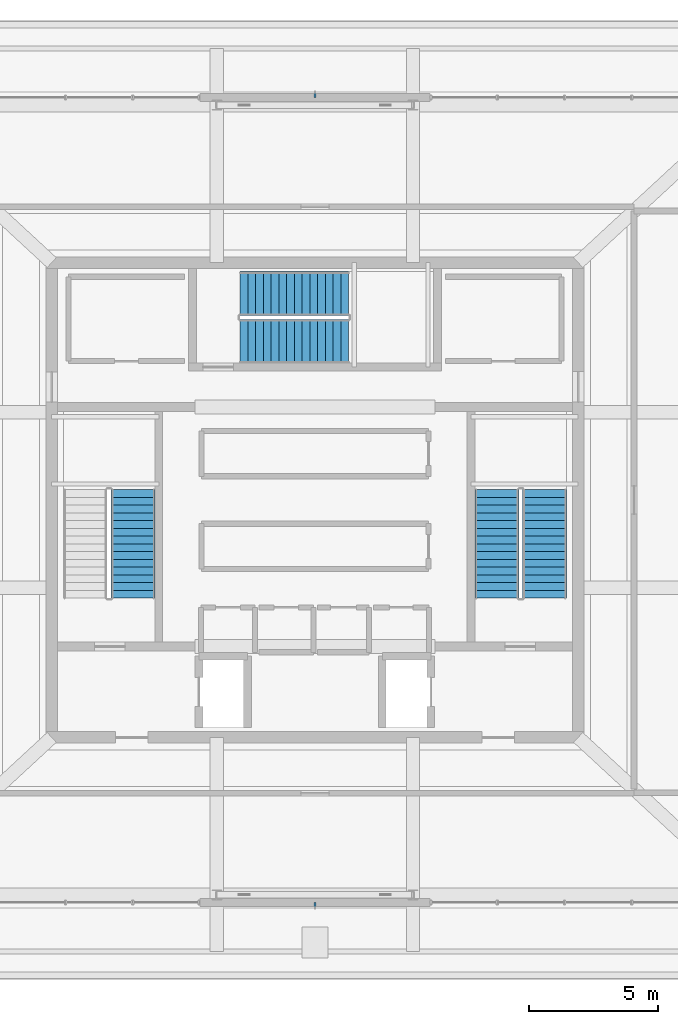
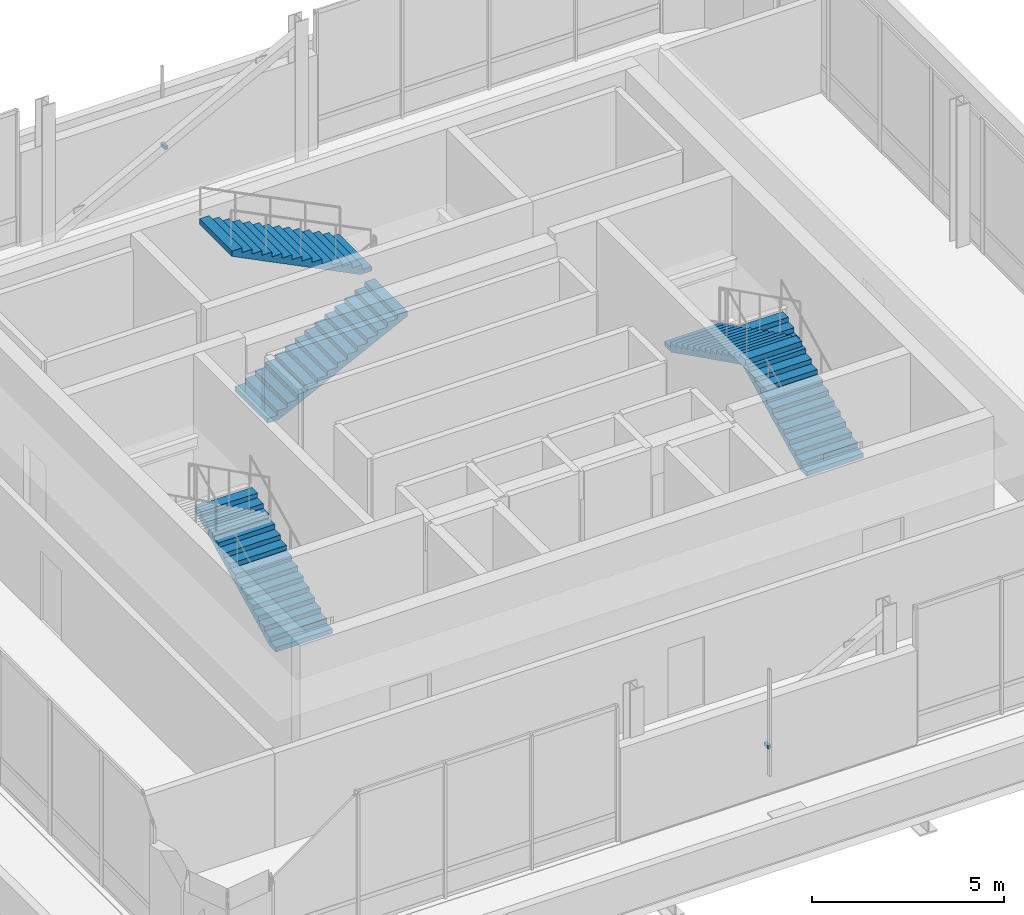
# One storey, part 25 of 28: 5 stair flights, 2 discrete accessories, 3 elements without a shape of their own.
"""IFC4 building model written with IfcOpenShell, lengths in metres."""

from ifc_helpers import new_model, si_unit, direction, frame, origin, origin_2d, place, context, subcontext, project, spatial, polyline, rectangle, outline, extrude, material, type_object, element, aggregate, save


model = new_model("IFC4")

# Units and contexts
model_context = context("Model", 3, precision=1e-05, world=origin(), true_north=direction((0.0, 1.0)))
body_context = subcontext(model_context, "Body", "Model", "MODEL_VIEW")
ifc_project = project(units=[si_unit("LENGTHUNIT", "METRE"), si_unit("AREAUNIT", "SQUARE_METRE"), si_unit("VOLUMEUNIT", "CUBIC_METRE"), si_unit("PLANEANGLEUNIT", "RADIAN"), si_unit("MASSUNIT", "GRAM", prefix="KILO")], contexts=[model_context])

# Site, building, storey
site_placement = place(None, origin())
site = spatial("IfcSite", under=ifc_project, at=site_placement, CompositionType="ELEMENT")
building_placement = place(site_placement, origin())
building = spatial("IfcBuilding", under=site, at=building_placement, Name="Punatoya Terracotta Tower", CompositionType="ELEMENT")
storey_placement = place(building_placement, frame((0.0, 0.0, 352.800048828125)))
storey = spatial("IfcBuildingStorey", under=building, at=storey_placement, Name="L83", CompositionType="ELEMENT", Elevation=352.800048828125)

# Stair, stair flight
ifc_material_1 = material(Name="Concrete C40/50", Category="concrete")
stair_type_1 = type_object("IfcStairType", Name="STR-CORE-1550", PredefinedType="HALF_TURN_STAIR", material=ifc_material_1)
stair_1_placement = place(storey_placement, origin())
stair_1 = element("IfcStair", 1, at=stair_1_placement, inside=storey, type_object=stair_type_1, Name="L83 Protected Core Exit Stair ST-1", PredefinedType="HALF_TURN_STAIR")
stair_flight_type_1 = type_object("IfcStairFlightType", Name="SFL-CORE-1550", PredefinedType="STRAIGHT", material=ifc_material_1)
stair_flight_1_placement = place(storey_placement, frame((-7.050048828125, -3.800048828125, 0.0), z_axis=(0.0, 0.0, 1.0), x_axis=(0.0, 1.0, 0.0)))
stair_flight_1 = element("IfcStairFlight", 2, at=stair_flight_1_placement, type_object=stair_flight_type_1, Name="ST-1 flight 1", NumberOfRisers=15, NumberOfTreads=14, PredefinedType="STRAIGHT", RiserHeight=0.15, TreadLength=0.3, context=body_context, shape_type="SweptSolid", body=[
    extrude(outline(polyline([(0.0, 0.0), (0.0, 0.14990234375), (0.300048828125, 0.14990234375), (0.300048828125, 0.300048828125), (0.60009765625, 0.300048828125), (0.60009765625, 0.449951171875), (0.89990234375, 0.449951171875), (0.89990234375, 0.60009765625), (1.199951171875, 0.60009765625), (1.199951171875, 0.75), (1.5, 0.75), (1.5, 0.89990234375), (1.800048828125, 0.89990234375), (1.800048828125, 1.050048828125), (2.10009765625, 1.050048828125), (2.10009765625, 1.199951171875), (2.39990234375, 1.199951171875), (2.39990234375, 1.35009765625), (2.699951171875, 1.35009765625), (2.699951171875, 1.5), (3.0, 1.5), (3.0, 1.64990234375), (3.300048828125, 1.64990234375), (3.300048828125, 1.800048828125), (3.60009765625, 1.800048828125), (3.60009765625, 1.949951171875), (3.89990234375, 1.949951171875), (3.89990234375, 2.10009765625), (4.199951171875, 2.10009765625), (4.199951171875, 2.25), (4.199951171875, 1.932373046875), (0.335205078125, 0.0), (0.0, 0.0)])), frame((0.0, 0.85009765625, 0.0), z_axis=(0.0, -1.0, 0.0), x_axis=(1.0, 0.0, 0.0)), (0.0, 0.0, 1.0), 1.699951171875),
])
aggregate(stair_1, [stair_flight_1])

# Stair, stair flights
stair_type_2 = type_object("IfcStairType", Name="STR-LOB-1650", PredefinedType="HALF_TURN_STAIR", material=ifc_material_1)
stair_2_placement = place(storey_placement, origin())
stair_2 = element("IfcStair", 3, at=stair_2_placement, inside=storey, type_object=stair_type_2, Name="L83 Protected Core Exit Stair ST-2", PredefinedType="HALF_TURN_STAIR")
stair_flight_type_2 = type_object("IfcStairFlightType", Name="SFL-LOB-1650", PredefinedType="STRAIGHT", material=ifc_material_1)
stair_flight_2_placement = place(storey_placement, frame((8.89990234375, -3.800048828125, 0.0), z_axis=(0.0, 0.0, 1.0), x_axis=(0.0, 1.0, 0.0)))
stair_flight_2 = element("IfcStairFlight", 4, at=stair_flight_2_placement, type_object=stair_flight_type_2, Name="ST-2 flight 1", NumberOfRisers=15, NumberOfTreads=14, PredefinedType="STRAIGHT", RiserHeight=0.15, TreadLength=0.3, context=body_context, shape_type="SweptSolid", body=[
    extrude(outline(polyline([(0.0, 0.0), (0.0, 0.14990234375), (0.300048828125, 0.14990234375), (0.300048828125, 0.300048828125), (0.60009765625, 0.300048828125), (0.60009765625, 0.449951171875), (0.89990234375, 0.449951171875), (0.89990234375, 0.60009765625), (1.199951171875, 0.60009765625), (1.199951171875, 0.75), (1.5, 0.75), (1.5, 0.89990234375), (1.800048828125, 0.89990234375), (1.800048828125, 1.050048828125), (2.10009765625, 1.050048828125), (2.10009765625, 1.199951171875), (2.39990234375, 1.199951171875), (2.39990234375, 1.35009765625), (2.699951171875, 1.35009765625), (2.699951171875, 1.5), (3.0, 1.5), (3.0, 1.64990234375), (3.300048828125, 1.64990234375), (3.300048828125, 1.800048828125), (3.60009765625, 1.800048828125), (3.60009765625, 1.949951171875), (3.89990234375, 1.949951171875), (3.89990234375, 2.10009765625), (4.199951171875, 2.10009765625), (4.199951171875, 2.25), (4.199951171875, 1.932373046875), (0.335205078125, 0.0), (0.0, 0.0)])), frame((0.0, 0.85009765625, 0.0), z_axis=(0.0, -1.0, 0.0), x_axis=(1.0, 0.0, 0.0)), (0.0, 0.0, 1.0), 1.699951171875),
])
stair_flight_3_placement = place(storey_placement, frame((7.050048828125, 0.39990234375, 2.25), z_axis=(0.0, 0.0, 1.0), x_axis=(0.0, -1.0, 0.0)))
stair_flight_3 = element("IfcStairFlight", 5, at=stair_flight_3_placement, type_object=stair_flight_type_2, Name="ST-2 flight 2", NumberOfRisers=15, NumberOfTreads=14, PredefinedType="STRAIGHT", RiserHeight=0.15, TreadLength=0.3, context=body_context, shape_type="SweptSolid", body=[
    extrude(outline(polyline([(0.0, 0.0), (0.0, 0.14990234375), (0.300048828125, 0.14990234375), (0.300048828125, 0.300048828125), (0.60009765625, 0.300048828125), (0.60009765625, 0.449951171875), (0.89990234375, 0.449951171875), (0.89990234375, 0.60009765625), (1.199951171875, 0.60009765625), (1.199951171875, 0.75), (1.5, 0.75), (1.5, 0.89990234375), (1.800048828125, 0.89990234375), (1.800048828125, 1.050048828125), (2.10009765625, 1.050048828125), (2.10009765625, 1.199951171875), (2.39990234375, 1.199951171875), (2.39990234375, 1.35009765625), (2.699951171875, 1.35009765625), (2.699951171875, 1.5), (3.0, 1.5), (3.0, 1.64990234375), (3.300048828125, 1.64990234375), (3.300048828125, 1.800048828125), (3.60009765625, 1.800048828125), (3.60009765625, 1.949951171875), (3.89990234375, 1.949951171875), (3.89990234375, 2.10009765625), (4.199951171875, 2.10009765625), (4.199951171875, 2.25), (4.199951171875, 1.932373046875), (0.335205078125, 0.0), (0.0, 0.0)])), frame((0.0, 0.85009765625, 0.0), z_axis=(0.0, -1.0, 0.0), x_axis=(1.0, 0.0, 0.0)), (0.0, 0.0, 1.0), 1.699951171875),
])
aggregate(stair_2, [stair_flight_2, stair_flight_3])

stair_type_3 = type_object("IfcStairType", Name="STR-TER-1450", PredefinedType="HALF_TURN_STAIR", material=ifc_material_1)
stair_3_placement = place(storey_placement, origin())
stair_3 = element("IfcStair", 6, at=stair_3_placement, inside=storey, type_object=stair_type_3, Name="L83 Protected Core Exit Stair ST-3", PredefinedType="HALF_TURN_STAIR")
stair_flight_type_3 = type_object("IfcStairFlightType", Name="SFL-TER-1450", PredefinedType="STRAIGHT", material=ifc_material_1)
stair_flight_4_placement = place(storey_placement, frame((-2.89990234375, 6.14990234375, 0.0), z_axis=(0.0, 0.0, 1.0), x_axis=(1.0, 0.0, 0.0)))
stair_flight_4 = element("IfcStairFlight", 7, at=stair_flight_4_placement, type_object=stair_flight_type_3, Name="ST-3 flight 1", NumberOfRisers=15, NumberOfTreads=14, PredefinedType="STRAIGHT", RiserHeight=0.15, TreadLength=0.3, context=body_context, shape_type="SweptSolid", body=[
    extrude(outline(polyline([(0.0, 0.0), (0.0, 0.14990234375), (0.300048828125, 0.14990234375), (0.300048828125, 0.300048828125), (0.60009765625, 0.300048828125), (0.60009765625, 0.449951171875), (0.89990234375, 0.449951171875), (0.89990234375, 0.60009765625), (1.199951171875, 0.60009765625), (1.199951171875, 0.75), (1.5, 0.75), (1.5, 0.89990234375), (1.800048828125, 0.89990234375), (1.800048828125, 1.050048828125), (2.10009765625, 1.050048828125), (2.10009765625, 1.199951171875), (2.39990234375, 1.199951171875), (2.39990234375, 1.35009765625), (2.699951171875, 1.35009765625), (2.699951171875, 1.5), (3.0, 1.5), (3.0, 1.64990234375), (3.300048828125, 1.64990234375), (3.300048828125, 1.800048828125), (3.60009765625, 1.800048828125), (3.60009765625, 1.949951171875), (3.89990234375, 1.949951171875), (3.89990234375, 2.10009765625), (4.199951171875, 2.10009765625), (4.199951171875, 2.25), (4.199951171875, 1.932373046875), (0.335205078125, 0.0), (0.0, 0.0)])), frame((0.0, 0.85009765625, 0.0), z_axis=(0.0, -1.0, 0.0), x_axis=(1.0, 0.0, 0.0)), (0.0, 0.0, 1.0), 1.699951171875),
])
stair_flight_5_placement = place(storey_placement, frame((1.300048828125, 8.0, 2.25), z_axis=(0.0, 0.0, 1.0), x_axis=(-1.0, 0.0, 0.0)))
stair_flight_5 = element("IfcStairFlight", 8, at=stair_flight_5_placement, type_object=stair_flight_type_3, Name="ST-3 flight 2", NumberOfRisers=15, NumberOfTreads=14, PredefinedType="STRAIGHT", RiserHeight=0.15, TreadLength=0.3, context=body_context, shape_type="SweptSolid", body=[
    extrude(outline(polyline([(0.0, 0.0), (0.0, 0.14990234375), (0.300048828125, 0.14990234375), (0.300048828125, 0.300048828125), (0.60009765625, 0.300048828125), (0.60009765625, 0.449951171875), (0.89990234375, 0.449951171875), (0.89990234375, 0.60009765625), (1.199951171875, 0.60009765625), (1.199951171875, 0.75), (1.5, 0.75), (1.5, 0.89990234375), (1.800048828125, 0.89990234375), (1.800048828125, 1.050048828125), (2.10009765625, 1.050048828125), (2.10009765625, 1.199951171875), (2.39990234375, 1.199951171875), (2.39990234375, 1.35009765625), (2.699951171875, 1.35009765625), (2.699951171875, 1.5), (3.0, 1.5), (3.0, 1.64990234375), (3.300048828125, 1.64990234375), (3.300048828125, 1.800048828125), (3.60009765625, 1.800048828125), (3.60009765625, 1.949951171875), (3.89990234375, 1.949951171875), (3.89990234375, 2.10009765625), (4.199951171875, 2.10009765625), (4.199951171875, 2.25), (4.199951171875, 1.932373046875), (0.335205078125, 0.0), (0.0, 0.0)])), frame((0.0, 0.85009765625, 0.0), z_axis=(0.0, -1.0, 0.0), x_axis=(1.0, 0.0, 0.0)), (0.0, 0.0, 1.0), 1.699951171875),
])
aggregate(stair_3, [stair_flight_4, stair_flight_5])

# Discrete accessories
ifc_material_2 = material(Name="Steel S355", Category="steel")
discrete_accessory_type = type_object("IfcDiscreteAccessoryType", Name="ACC-BRK-220", PredefinedType="BRACKET", material=ifc_material_2)
for number, where, z_axis, x_axis, name in (
    (9, (0.0, -15.699951171875, 1.449951171875), (0.0, 0.0, 1.0), (1.0, 0.0, 0.0), "L83 Jali Fin Support Bracket S1"),
    (10, (0.0, 15.699951171875, 1.449951171875), (0.0, 0.0, 1.0), (-1.0, 0.0, 0.0), "L83 Jali Fin Support Bracket N1"),
):
    element("IfcDiscreteAccessory", number, at=place(storey_placement, frame(where, z_axis=z_axis, x_axis=x_axis)), inside=storey, type_object=discrete_accessory_type, Name=name, PredefinedType="BRACKET", context=body_context, shape_type="SweptSolid", body=[
        extrude(rectangle(XDim=0.090087890625, YDim=0.219970703125, at=origin_2d()), origin(), (0.0, 0.0, 1.0), 0.10009765625),
    ])

save(model, "model.ifc")
